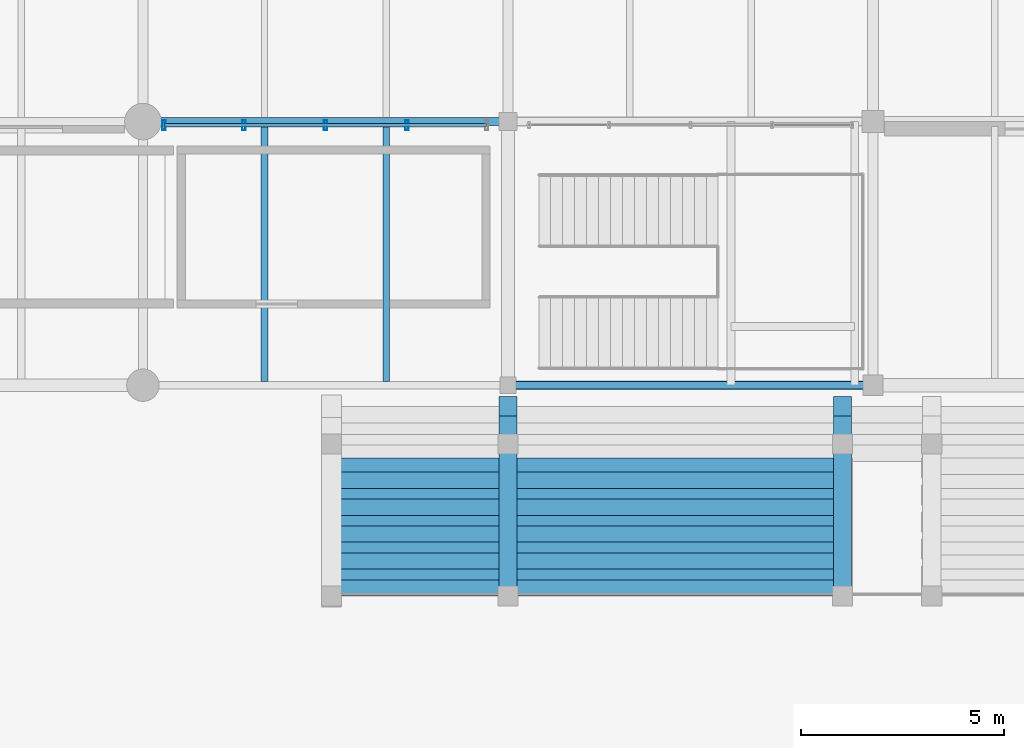
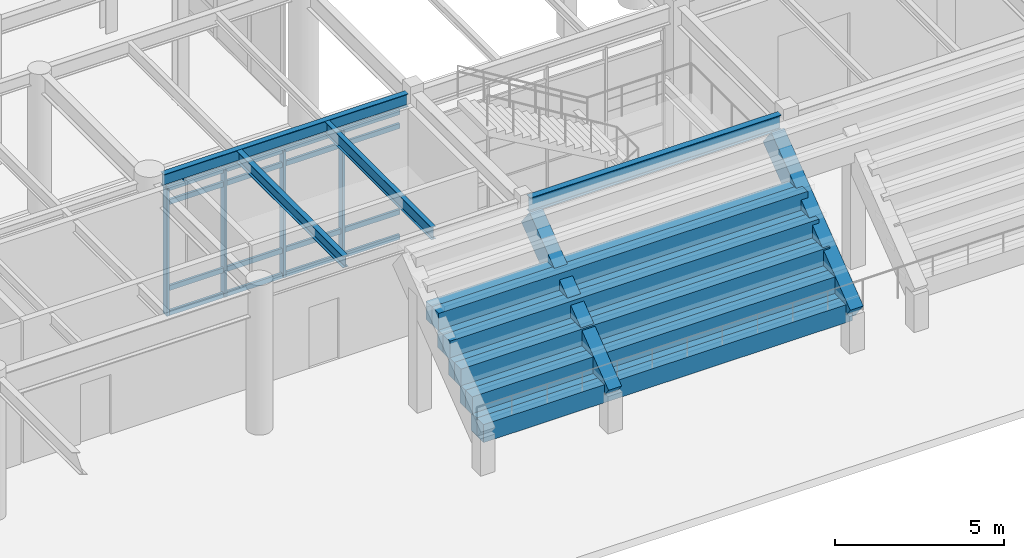
# One storey, part 69 of 203: 17 beams, 8 members, 1 element without a shape of its own.
"""IFC4 building model written with IfcOpenShell, lengths in metres."""

from ifc_helpers import new_model, si_unit, direction, frame, origin, origin_2d, place, context, subcontext, project, spatial, rectangle, hollow_rectangle, i_section, extrude, material, material_profile, profile_set, type_object, element, aggregate, save


model = new_model("IFC4")

# Units and contexts
model_context = context("Model", 3, precision=1e-05, world=origin(), true_north=direction((0.0, 1.0)))
body_context = subcontext(model_context, "Body", "Model", "MODEL_VIEW")
ifc_project = project(units=[si_unit("LENGTHUNIT", "METRE"), si_unit("AREAUNIT", "SQUARE_METRE"), si_unit("VOLUMEUNIT", "CUBIC_METRE"), si_unit("PLANEANGLEUNIT", "RADIAN"), si_unit("MASSUNIT", "GRAM", prefix="KILO"), si_unit("THERMODYNAMICTEMPERATUREUNIT", "KELVIN"), si_unit("POWERUNIT", "WATT")], contexts=[model_context])

# Site, building, storey
site_placement = place(None, origin())
site = spatial("IfcSite", under=ifc_project, at=site_placement, CompositionType="ELEMENT")
building_placement = place(site_placement, origin())
building = spatial("IfcBuilding", under=site, at=building_placement, Name="Tepalcoro Natatorium and Aquatics Centre", CompositionType="ELEMENT")
storey_placement = place(building_placement, origin())
storey = spatial("IfcBuildingStorey", under=building, at=storey_placement, Name="L00", CompositionType="ELEMENT", Elevation=0.0)

# Beams
ifc_material_1 = material(Name="Concrete C40/50 (fc 40 MPa)", Category="concrete")
ifc_material_profile_1 = material_profile(ifc_material_1, rectangle(XDim=0.39990234375, YDim=0.64990234375, at=origin_2d()), Name="RCB400x650")
ifc_profile_set_1 = profile_set([ifc_material_profile_1], Name="Concrete C40/50 (fc 40 MPa)")
beam_type_1 = type_object("IfcBeamType", Name="BM_RC_400x650", PredefinedType="BEAM", material=ifc_profile_set_1)
for number, where, z_axis, x_axis, name in (
    (1, (66.64990234375, 54.0, 1.300048828125), (1.0, 0.0, 0.0), (0.0, 1.0, 0.0), "Spectator Tier Stringer Beam N-1W-F"),
    (2, (66.64990234375, 54.34423828125, 1.300048828125), (1.0, 0.0, 0.0), (0.0, 1.0, 0.0), "Spectator Tier Stringer Beam N-1W-B"),
    (3, (66.64990234375, 54.664306640625, 1.89990234375), (1.0, 0.0, 0.0), (0.0, 1.0, 0.0), "Spectator Tier Stringer Beam N-2W-F"),
    (4, (66.64990234375, 55.008544921875, 1.89990234375), (1.0, 0.0, 0.0), (0.0, 1.0, 0.0), "Spectator Tier Stringer Beam N-2W-B"),
    (5, (66.64990234375, 55.32861328125, 2.5), (1.0, 0.0, 0.0), (0.0, 1.0, 0.0), "Spectator Tier Stringer Beam N-3W-F"),
    (6, (66.64990234375, 55.6728515625, 2.5), (1.0, 0.0, 0.0), (0.0, 1.0, 0.0), "Spectator Tier Stringer Beam N-3W-B"),
    (7, (66.64990234375, 55.992919921875, 3.10009765625), (1.0, 0.0, 0.0), (0.0, 1.0, 0.0), "Spectator Tier Stringer Beam N-4W-F"),
    (8, (66.64990234375, 56.337158203125, 3.10009765625), (1.0, 0.0, 0.0), (0.0, 1.0, 0.0), "Spectator Tier Stringer Beam N-4W-B"),
    (9, (66.64990234375, 56.6572265625, 3.699951171875), (1.0, 0.0, 0.0), (0.0, 1.0, 0.0), "Spectator Tier Stringer Beam N-5W-F"),
    (10, (66.64990234375, 57.00146484375, 3.699951171875), (1.0, 0.0, 0.0), (0.0, 1.0, 0.0), "Spectator Tier Stringer Beam N-5W-B"),
):
    element("IfcBeam", number, at=place(storey_placement, frame(where, z_axis=z_axis, x_axis=x_axis)), inside=storey, type_object=beam_type_1, Name=name, PredefinedType="BEAM", context=body_context, shape_type="SweptSolid", body=[
        extrude(rectangle(XDim=0.39990234375, YDim=0.64990234375, at=origin_2d()), origin(), (0.0, 0.0, 1.0), 12.60009765625),
    ])
ifc_material_2 = material(Name="Steel ASTM A992 Grade 50 (Fy 345 MPa)", Category="steel")
ifc_material_profile_2 = material_profile(ifc_material_2, i_section(OverallWidth=0.19091796875, OverallDepth=0.45703125, WebThickness=0.009033203125, FlangeThickness=0.013916015625, FilletRadius=0.013916015625, at=origin_2d()), Name="W18X50")
ifc_profile_set_2 = profile_set([ifc_material_profile_2], Name="Steel ASTM A992 Grade 50 (Fy 345 MPa)")
beam_type_2 = type_object("IfcBeamType", Name="BM_W18x50", PredefinedType="BEAM", material=ifc_profile_set_2)
beam_1_placement = place(storey_placement, frame((71.18505859375, 59.0, 2.271484375), z_axis=(1.0, 0.0, 0.0), x_axis=(0.0, 1.0, 0.0)))
element("IfcBeam", 11, at=beam_1_placement, inside=storey, type_object=beam_type_2, Name="Vomitory Stair Mid-Height Grid Header NW-S", PredefinedType="BEAM", context=body_context, shape_type="SweptSolid", body=[
    extrude(i_section(OverallWidth=0.19091796875, OverallDepth=0.45703125, WebThickness=0.009033203125, FlangeThickness=0.013916015625, FilletRadius=0.013916015625, at=origin_2d()), origin(), (0.0, 0.0, 1.0), 8.579833984375),
])
ifc_material_profile_3 = material_profile(ifc_material_2, i_section(OverallWidth=0.193115234375, OverallDepth=0.467041015625, WebThickness=0.010986328125, FlangeThickness=0.01904296875, FilletRadius=0.013916015625, at=origin_2d()), Name="W18X65")
ifc_profile_set_3 = profile_set([ifc_material_profile_3], Name="Steel ASTM A992 Grade 50 (Fy 345 MPa)")
beam_type_3 = type_object("IfcBeamType", Name="BM_W18x65", PredefinedType="BEAM", material=ifc_profile_set_3)
beam_2_placement = place(storey_placement, frame((62.43505859375, 65.5, 4.8515625), z_axis=(1.0, 0.0, 0.0), x_axis=(0.0, 1.0, 0.0)))
element("IfcBeam", 12, at=beam_2_placement, inside=storey, type_object=beam_type_3, Name="V1 L00 Grid Girder X", PredefinedType="BEAM", context=body_context, shape_type="SweptSolid", body=[
    extrude(i_section(OverallWidth=0.193115234375, OverallDepth=0.467041015625, WebThickness=0.010986328125, FlangeThickness=0.01904296875, FilletRadius=0.013916015625, at=origin_2d()), origin(), (0.0, 0.0, 1.0), 8.35498046875),
])
ifc_material_profile_4 = material_profile(ifc_material_2, i_section(OverallWidth=0.2119140625, OverallDepth=0.5439453125, WebThickness=0.012939453125, FlangeThickness=0.02099609375, FilletRadius=0.013916015625, at=origin_2d()), Name="W21X83")
ifc_profile_set_4 = profile_set([ifc_material_profile_4], Name="Steel ASTM A992 Grade 50 (Fy 345 MPa)")
beam_type_4 = type_object("IfcBeamType", Name="BM_W21x83", PredefinedType="BEAM", material=ifc_profile_set_4)
beam_3_placement = place(storey_placement, frame((71.18505859375, 59.0, 4.85302734375), z_axis=(1.0, 0.0, 0.0), x_axis=(0.0, 1.0, 0.0)))
element("IfcBeam", 13, at=beam_3_placement, inside=storey, type_object=beam_type_4, Name="V1 L00 Grid Girder X", PredefinedType="BEAM", context=body_context, shape_type="SweptSolid", body=[
    extrude(i_section(OverallWidth=0.2119140625, OverallDepth=0.5439453125, WebThickness=0.012939453125, FlangeThickness=0.02099609375, FilletRadius=0.013916015625, at=origin_2d()), origin(), (0.0, 0.0, 1.0), 8.579833984375),
])

# Curtain wall, members
ifc_material_3 = material(Name="Bronze-Anodised Extruded Aluminium Alloy EN AW-6063 T6", Category="aluminium")
curtain_wall_type = type_object("IfcCurtainWallType", Name="CW_LEAN_T2_NS", PredefinedType="USERDEFINED", material=ifc_material_3)
curtain_wall_placement = place(storey_placement, origin())
curtain_wall = element("IfcCurtainWall", 14, at=curtain_wall_placement, inside=storey, type_object=curtain_wall_type, Name="V1 L00 N Unitised Curtain Wall Bay 3", ObjectType="FACETED SOLAR GLAZING", PredefinedType="USERDEFINED")
ifc_material_profile_5 = material_profile(ifc_material_3, hollow_rectangle(XDim=0.080078125, YDim=0.239990234375, WallThickness=0.0048828125, at=origin_2d()), Name="AL80X240X5")
ifc_profile_set_5 = profile_set([ifc_material_profile_5], Name="Bronze-Anodised Extruded Aluminium Alloy EN AW-6063 T6")
member_type_1 = type_object("IfcMemberType", Name="CW_MUL_80x240", PredefinedType="MULLION", material=ifc_profile_set_5)
member_1_placement = place(storey_placement, frame((62.52001953125, 65.409912109375, 0.02001953125), z_axis=(0.0, 0.0, 1.0), x_axis=(1.0, 0.0, 0.0)))
member_1 = element("IfcMember", 15, at=member_1_placement, type_object=member_type_1, Name="CW_LEAN_T2_NS Curtain Wall Mullion", PredefinedType="MULLION", context=body_context, shape_type="SweptSolid", body=[
    extrude(hollow_rectangle(XDim=0.080078125, YDim=0.239990234375, WallThickness=0.0048828125, at=origin_2d()), origin(), (0.0, 0.0, 1.0), 4.56298828125),
])
member_2_placement = place(storey_placement, frame((64.489990234375, 65.409912109375, 0.02001953125), z_axis=(0.0, 0.0, 1.0), x_axis=(1.0, 0.0, 0.0)))
member_2 = element("IfcMember", 16, at=member_2_placement, type_object=member_type_1, Name="CW_LEAN_T2_NS Curtain Wall Mullion", PredefinedType="MULLION", context=body_context, shape_type="SweptSolid", body=[
    extrude(hollow_rectangle(XDim=0.080078125, YDim=0.239990234375, WallThickness=0.0048828125, at=origin_2d()), origin(), (0.0, 0.0, 1.0), 4.56298828125),
])
member_3_placement = place(storey_placement, frame((66.5, 65.409912109375, 0.02001953125), z_axis=(0.0, 0.0, 1.0), x_axis=(1.0, 0.0, 0.0)))
member_3 = element("IfcMember", 17, at=member_3_placement, type_object=member_type_1, Name="CW_LEAN_T2_NS Curtain Wall Mullion", PredefinedType="MULLION", context=body_context, shape_type="SweptSolid", body=[
    extrude(hollow_rectangle(XDim=0.080078125, YDim=0.239990234375, WallThickness=0.0048828125, at=origin_2d()), origin(), (0.0, 0.0, 1.0), 4.56298828125),
])
member_4_placement = place(storey_placement, frame((68.510009765625, 65.409912109375, 0.02001953125), z_axis=(0.0, 0.0, 1.0), x_axis=(1.0, 0.0, 0.0)))
member_4 = element("IfcMember", 18, at=member_4_placement, type_object=member_type_1, Name="CW_LEAN_T2_NS Curtain Wall Mullion", PredefinedType="MULLION", context=body_context, shape_type="SweptSolid", body=[
    extrude(hollow_rectangle(XDim=0.080078125, YDim=0.239990234375, WallThickness=0.0048828125, at=origin_2d()), origin(), (0.0, 0.0, 1.0), 4.56298828125),
])
ifc_material_profile_6 = material_profile(ifc_material_3, hollow_rectangle(XDim=0.080078125, YDim=0.179931640625, WallThickness=0.0048828125, at=origin_2d()), Name="AL80X180X5")
ifc_profile_set_6 = profile_set([ifc_material_profile_6], Name="Bronze-Anodised Extruded Aluminium Alloy EN AW-6063 T6")
member_type_2 = type_object("IfcMemberType", Name="CW_TRN_80x180", PredefinedType="USERDEFINED", material=ifc_profile_set_6)
member_5_placement = place(storey_placement, frame((62.530029296875, 65.409912109375, 0.050048828125), z_axis=(1.0, 0.0, 0.0), x_axis=(0.0, 1.0, 0.0)))
member_5 = element("IfcMember", 19, at=member_5_placement, type_object=member_type_2, Name="CW_LEAN_T2_NS Curtain Wall Transom", ObjectType="TRANSOM", PredefinedType="USERDEFINED", context=body_context, shape_type="SweptSolid", body=[
    extrude(hollow_rectangle(XDim=0.080078125, YDim=0.179931640625, WallThickness=0.0048828125, at=origin_2d()), origin(), (0.0, 0.0, 1.0), 7.93994140625),
])
member_6_placement = place(storey_placement, frame((62.530029296875, 65.409912109375, 0.949951171875), z_axis=(1.0, 0.0, 0.0), x_axis=(0.0, 1.0, 0.0)))
member_6 = element("IfcMember", 20, at=member_6_placement, type_object=member_type_2, Name="CW_LEAN_T2_NS Curtain Wall Transom", ObjectType="TRANSOM", PredefinedType="USERDEFINED", context=body_context, shape_type="SweptSolid", body=[
    extrude(hollow_rectangle(XDim=0.080078125, YDim=0.179931640625, WallThickness=0.0048828125, at=origin_2d()), origin(), (0.0, 0.0, 1.0), 7.93994140625),
])
member_7_placement = place(storey_placement, frame((62.530029296875, 65.409912109375, 4.052978515625), z_axis=(1.0, 0.0, 0.0), x_axis=(0.0, 1.0, 0.0)))
member_7 = element("IfcMember", 21, at=member_7_placement, type_object=member_type_2, Name="CW_LEAN_T2_NS Curtain Wall Transom", ObjectType="TRANSOM", PredefinedType="USERDEFINED", context=body_context, shape_type="SweptSolid", body=[
    extrude(hollow_rectangle(XDim=0.080078125, YDim=0.179931640625, WallThickness=0.0048828125, at=origin_2d()), origin(), (0.0, 0.0, 1.0), 7.93994140625),
])
member_8_placement = place(storey_placement, frame((62.530029296875, 65.409912109375, 4.552978515625), z_axis=(1.0, 0.0, 0.0), x_axis=(0.0, 1.0, 0.0)))
member_8 = element("IfcMember", 22, at=member_8_placement, type_object=member_type_2, Name="CW_LEAN_T2_NS Curtain Wall Transom", ObjectType="TRANSOM", PredefinedType="USERDEFINED", context=body_context, shape_type="SweptSolid", body=[
    extrude(hollow_rectangle(XDim=0.080078125, YDim=0.179931640625, WallThickness=0.0048828125, at=origin_2d()), origin(), (0.0, 0.0, 1.0), 7.93994140625),
])
aggregate(curtain_wall, [member_1, member_2, member_3, member_4, member_5, member_6, member_7, member_8])

# Beams
ifc_material_profile_7 = material_profile(ifc_material_2, i_section(OverallWidth=0.178955078125, OverallDepth=0.409912109375, WebThickness=0.009033203125, FlangeThickness=0.013916015625, FilletRadius=0.013916015625, at=origin_2d()), Name="W16X45")
ifc_profile_set_7 = profile_set([ifc_material_profile_7], Name="Steel ASTM A992 Grade 50 (Fy 345 MPa)")
beam_type_5 = type_object("IfcBeamType", Name="JS_W16x45", PredefinedType="JOIST", material=ifc_profile_set_7)
beam_4_placement = place(storey_placement, frame((65.0, 59.095458984375, 4.8798828125), z_axis=(0.0, 1.0, 0.0), x_axis=(-1.0, 0.0, 0.0)))
element("IfcBeam", 23, at=beam_4_placement, inside=storey, type_object=beam_type_5, Name="V1 L00 Floor Joist", PredefinedType="JOIST", context=body_context, shape_type="SweptSolid", body=[
    extrude(i_section(OverallWidth=0.178955078125, OverallDepth=0.409912109375, WebThickness=0.009033203125, FlangeThickness=0.013916015625, FilletRadius=0.013916015625, at=origin_2d()), origin(), (0.0, 0.0, 1.0), 6.30810546875),
])
ifc_material_profile_8 = material_profile(ifc_material_2, i_section(OverallWidth=0.153076171875, OverallDepth=0.455078125, WebThickness=0.008056640625, FlangeThickness=0.012939453125, FilletRadius=0.013916015625, at=origin_2d()), Name="W18X40")
ifc_profile_set_8 = profile_set([ifc_material_profile_8], Name="Steel ASTM A992 Grade 50 (Fy 345 MPa)")
beam_type_6 = type_object("IfcBeamType", Name="JS_W18x40", PredefinedType="JOIST", material=ifc_profile_set_8)
beam_5_placement = place(storey_placement, frame((68.0, 59.095458984375, 4.857421875), z_axis=(0.0, 1.0, 0.0), x_axis=(-1.0, 0.0, 0.0)))
element("IfcBeam", 24, at=beam_5_placement, inside=storey, type_object=beam_type_6, Name="V1 L00 Floor Joist", PredefinedType="JOIST", context=body_context, shape_type="SweptSolid", body=[
    extrude(i_section(OverallWidth=0.153076171875, OverallDepth=0.455078125, WebThickness=0.008056640625, FlangeThickness=0.012939453125, FilletRadius=0.013916015625, at=origin_2d()), origin(), (0.0, 0.0, 1.0), 6.30810546875),
])
ifc_material_profile_9 = material_profile(ifc_material_1, rectangle(XDim=0.449951171875, YDim=0.800048828125, at=origin_2d()), Name="RKR450x800")
ifc_profile_set_9 = profile_set([ifc_material_profile_9], Name="Concrete C40/50 (fc 40 MPa)")
beam_type_7 = type_object("IfcBeamType", Name="RK_RC_450x800", PredefinedType="USERDEFINED", material=ifc_profile_set_9)
for number, where, z_axis, x_axis, name in (
    (25, (71.0, 53.800048828125, 1.25), (0.0, 0.793431117483, 0.608660054389), (-1.0, 0.0, 0.0), "Spectator Bowl Raker Beam N-2"),
    (26, (79.25, 53.800048828125, 1.25), (0.0, 0.793431117483, 0.608660054389), (-1.0, 0.0, 0.0), "Spectator Bowl Raker Beam N-3"),
):
    element("IfcBeam", number, at=place(storey_placement, frame(where, z_axis=z_axis, x_axis=x_axis)), inside=storey, type_object=beam_type_7, Name=name, ObjectType="RAKER", PredefinedType="USERDEFINED", context=body_context, shape_type="SweptSolid", body=[
        extrude(rectangle(XDim=0.449951171875, YDim=0.800048828125, at=origin_2d()), origin(), (0.0, 0.0, 1.0), 5.8984375),
    ])

save(model, "model.ifc")
